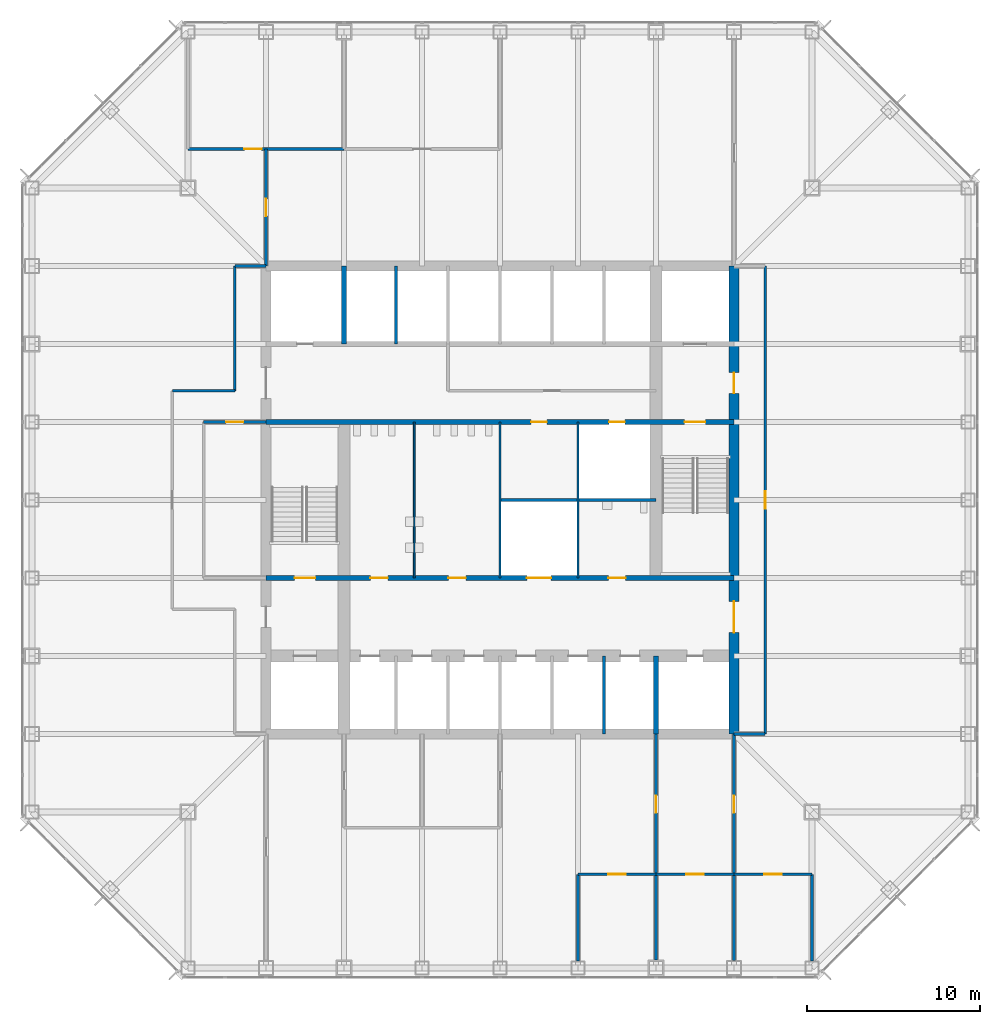
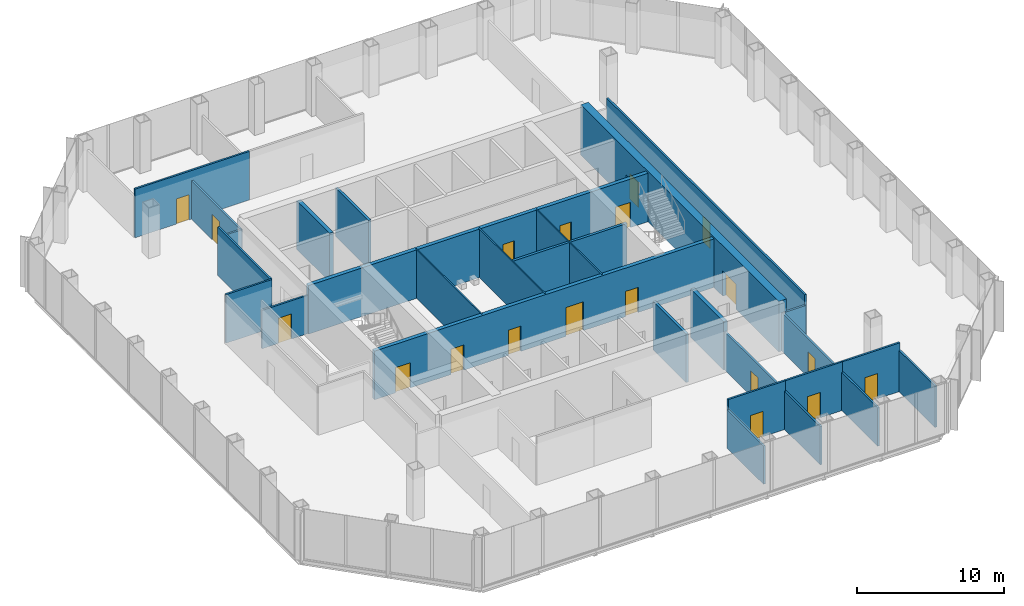
# One storey, part 9 of 12: 28 walls, 19 doors, 19 openings.
"""IFC4 building model written with IfcOpenShell, lengths in metres."""

from ifc_helpers import new_model, si_unit, direction, frame, frame_2d, origin, place, context, subcontext, project, spatial, rectangle, extrude, material, layer, layer_set, type_object, element, fill, save


model = new_model("IFC4")

# Units and contexts
model_context = context("Model", 3, precision=1e-05, world=origin(), true_north=direction((0.0, 1.0)))
body_context = subcontext(model_context, "Body", "Model", "MODEL_VIEW")
ifc_project = project(units=[si_unit("LENGTHUNIT", "METRE"), si_unit("AREAUNIT", "SQUARE_METRE"), si_unit("VOLUMEUNIT", "CUBIC_METRE"), si_unit("PLANEANGLEUNIT", "RADIAN"), si_unit("MASSUNIT", "GRAM", prefix="KILO")], contexts=[model_context])

# Site, building, storey
site_placement = place(None, origin())
site = spatial("IfcSite", under=ifc_project, at=site_placement, CompositionType="ELEMENT")
building_placement = place(site_placement, origin())
building = spatial("IfcBuilding", under=site, at=building_placement, Name="Corais Broadcast Tower", CompositionType="ELEMENT")
storey_placement = place(building_placement, frame((0.0, 0.0, 50.0)))
storey = spatial("IfcBuildingStorey", under=building, at=storey_placement, Name="L10", CompositionType="ELEMENT", Elevation=50.0)

# Walls
ifc_material_1 = material(Name="Concrete blockwork class A, grouted, two-hour", Category="masonry")
ifc_layer_1 = layer(ifc_material_1, 0.300048828125)
ifc_layer_set_1 = layer_set([ifc_layer_1], Name="Concrete blockwork class A, grouted, two-hour")
wall_type_1 = type_object("IfcWallType", Name="Core lobby wall 300", PredefinedType="SOLIDWALL", material=ifc_layer_set_1)
for number, where, z_axis, x_axis, name in (
    (1, (18.0, 36.0, 0.0), (0.0, 0.0, 1.0), (0.0, 1.0, 0.0), "CL1 core shaft wall X18B L10"),
    (2, (36.0, 13.5, 0.0), (0.0, 0.0, 1.0), (0.0, 1.0, 0.0), "CL1 core shaft wall X36A L10"),
):
    element("IfcWall", number, at=place(storey_placement, frame(where, z_axis=z_axis, x_axis=x_axis)), inside=storey, type_object=wall_type_1, Name=name, PredefinedType="SOLIDWALL", context=body_context, shape_type="SweptSolid", body=[
        extrude(rectangle(XDim=4.5, YDim=0.300048828125, at=frame_2d((2.25, 0.0))), origin(), (0.0, 0.0, 1.0), 4.0400390625),
    ])

# Wall, openings, doors
wall_1_placement = place(storey_placement, frame((13.5, 22.5, 0.0), z_axis=(0.0, 0.0, 1.0), x_axis=(1.0, 0.0, 0.0)))
wall_1 = element("IfcWall", 3, at=wall_1_placement, inside=storey, type_object=wall_type_1, Name="CL1 core lobby wall Y225 L10", PredefinedType="SOLIDWALL", context=body_context, shape_type="SweptSolid", body=[
    extrude(rectangle(XDim=27.0, YDim=0.300048828125, at=frame_2d((13.5, 0.0))), origin(), (0.0, 0.0, 1.0), 4.0400390625),
])
opening_1_placement = place(wall_1_placement, frame((1.64990234375, 0.0, 0.0)))
opening_1 = element("IfcOpeningElement", 4, at=opening_1_placement, cuts=wall_1, Name="Opening FD1", PredefinedType="OPENING", context=body_context, shape_type="SweptSolid", body=[
    extrude(rectangle(XDim=1.199951171875, YDim=2.10009765625, at=frame_2d((0.60009765625, 1.050048828125))), frame((0.0, 0.159912109375, 0.0), z_axis=(0.0, -1.0, 0.0), x_axis=(1.0, 0.0, 0.0)), (0.0, 0.0, 1.0), 0.320068359375),
])
opening_2_placement = place(wall_1_placement, frame((6.02490234375, 0.0, 0.0)))
opening_2 = element("IfcOpeningElement", 5, at=opening_2_placement, cuts=wall_1, Name="Opening WD1", PredefinedType="OPENING", context=body_context, shape_type="SweptSolid", body=[
    extrude(rectangle(XDim=1.0, YDim=2.10009765625, at=frame_2d((0.5, 1.050048828125))), frame((0.0, 0.159912109375, 0.0), z_axis=(0.0, -1.0, 0.0), x_axis=(1.0, 0.0, 0.0)), (0.0, 0.0, 1.0), 0.320068359375),
])
opening_3_placement = place(wall_1_placement, frame((10.52490234375, 0.0, 0.0)))
opening_3 = element("IfcOpeningElement", 6, at=opening_3_placement, cuts=wall_1, Name="Opening WD1", PredefinedType="OPENING", context=body_context, shape_type="SweptSolid", body=[
    extrude(rectangle(XDim=1.0, YDim=2.10009765625, at=frame_2d((0.5, 1.050048828125))), frame((0.0, 0.159912109375, 0.0), z_axis=(0.0, -1.0, 0.0), x_axis=(1.0, 0.0, 0.0)), (0.0, 0.0, 1.0), 0.320068359375),
])
opening_4_placement = place(wall_1_placement, frame((19.75, 0.0, 0.0)))
opening_4 = element("IfcOpeningElement", 7, at=opening_4_placement, cuts=wall_1, Name="Opening WD1", PredefinedType="OPENING", context=body_context, shape_type="SweptSolid", body=[
    extrude(rectangle(XDim=1.0, YDim=2.10009765625, at=frame_2d((0.5, 1.050048828125))), frame((0.0, 0.159912109375, 0.0), z_axis=(0.0, -1.0, 0.0), x_axis=(1.0, 0.0, 0.0)), (0.0, 0.0, 1.0), 0.320068359375),
])
opening_5_placement = place(wall_1_placement, frame((15.050048828125, 0.0, 0.0)))
opening_5 = element("IfcOpeningElement", 8, at=opening_5_placement, cuts=wall_1, Name="Opening LD3", PredefinedType="OPENING", context=body_context, shape_type="SweptSolid", body=[
    extrude(rectangle(XDim=1.39990234375, YDim=2.39990234375, at=frame_2d((0.699951171875, 1.199951171875))), frame((0.0, 0.159912109375, 0.0), z_axis=(0.0, -1.0, 0.0), x_axis=(1.0, 0.0, 0.0)), (0.0, 0.0, 1.0), 0.320068359375),
])
ifc_material_2 = material(Name="Steel fire door", Category="steel")
door_type_1 = type_object("IfcDoorType", Name="Fire door 1200x2100", OperationType="SINGLE_SWING_LEFT", PredefinedType="DOOR", material=ifc_material_2)
door_1_placement = place(opening_1_placement, origin())
door_1 = element("IfcDoor", 9, at=door_1_placement, inside=storey, type_object=door_type_1, Name="FD1 stair A door L10", OperationType="SINGLE_SWING_LEFT", OverallHeight=2.10009765625, OverallWidth=1.199951171875, PredefinedType="DOOR", context=body_context, shape_type="SweptSolid", body=[
    extrude(rectangle(XDim=1.199951171875, YDim=2.10009765625, at=frame_2d((0.60009765625, 1.050048828125))), frame((0.0, 0.02490234375, 0.0), z_axis=(0.0, -1.0, 0.0), x_axis=(1.0, 0.0, 0.0)), (0.0, 0.0, 1.0), 0.050048828125),
])
fill(opening_1, door_1)
ifc_material_3 = material(Name="Stainless steel lift door", Category="steel")
door_type_2 = type_object("IfcDoorType", Name="Service lift landing door 1400x2400", OperationType="SLIDING_TO_LEFT", PredefinedType="DOOR", material=ifc_material_3)
door_2_placement = place(opening_5_placement, origin())
door_2 = element("IfcDoor", 10, at=door_2_placement, inside=storey, type_object=door_type_2, Name="LD3 SL1 landing door L10", OperationType="SLIDING_TO_LEFT", OverallHeight=2.39990234375, OverallWidth=1.39990234375, PredefinedType="DOOR", context=body_context, shape_type="SweptSolid", body=[
    extrude(rectangle(XDim=1.39990234375, YDim=2.39990234375, at=frame_2d((0.699951171875, 1.199951171875))), frame((0.0, 0.02490234375, 0.0), z_axis=(0.0, -1.0, 0.0), x_axis=(1.0, 0.0, 0.0)), (0.0, 0.0, 1.0), 0.050048828125),
])
fill(opening_5, door_2)
ifc_material_4 = material(Name="Timber door", Category="wood")
door_type_3 = type_object("IfcDoorType", Name="Toilet door 1000x2100", OperationType="SINGLE_SWING_LEFT", PredefinedType="DOOR", material=ifc_material_4)
door_3_placement = place(opening_2_placement, origin())
door_3 = element("IfcDoor", 11, at=door_3_placement, inside=storey, type_object=door_type_3, Name="WD1 WC male door L10", OperationType="SINGLE_SWING_LEFT", OverallHeight=2.10009765625, OverallWidth=1.0, PredefinedType="DOOR", context=body_context, shape_type="SweptSolid", body=[
    extrude(rectangle(XDim=1.0, YDim=2.10009765625, at=frame_2d((0.5, 1.050048828125))), frame((0.0, 0.02490234375, 0.0), z_axis=(0.0, -1.0, 0.0), x_axis=(1.0, 0.0, 0.0)), (0.0, 0.0, 1.0), 0.050048828125),
])
fill(opening_2, door_3)
door_4_placement = place(opening_3_placement, origin())
door_4 = element("IfcDoor", 12, at=door_4_placement, inside=storey, type_object=door_type_3, Name="WD1 WC female door L10", OperationType="SINGLE_SWING_LEFT", OverallHeight=2.10009765625, OverallWidth=1.0, PredefinedType="DOOR", context=body_context, shape_type="SweptSolid", body=[
    extrude(rectangle(XDim=1.0, YDim=2.10009765625, at=frame_2d((0.5, 1.050048828125))), frame((0.0, 0.02490234375, 0.0), z_axis=(0.0, -1.0, 0.0), x_axis=(1.0, 0.0, 0.0)), (0.0, 0.0, 1.0), 0.050048828125),
])
fill(opening_3, door_4)
door_5_placement = place(opening_4_placement, origin())
door_5 = element("IfcDoor", 13, at=door_5_placement, inside=storey, type_object=door_type_3, Name="WD1 accessible WC door L10", OperationType="SINGLE_SWING_RIGHT", OverallHeight=2.10009765625, OverallWidth=1.0, PredefinedType="DOOR", context=body_context, shape_type="SweptSolid", body=[
    extrude(rectangle(XDim=1.0, YDim=2.10009765625, at=frame_2d((0.5, 1.050048828125))), frame((0.0, 0.02490234375, 0.0), z_axis=(0.0, -1.0, 0.0), x_axis=(1.0, 0.0, 0.0)), (0.0, 0.0, 1.0), 0.050048828125),
])
fill(opening_4, door_5)

wall_2_placement = place(storey_placement, frame((13.5, 31.5, 0.0), z_axis=(0.0, 0.0, 1.0), x_axis=(1.0, 0.0, 0.0)))
wall_2 = element("IfcWall", 14, at=wall_2_placement, inside=storey, type_object=wall_type_1, Name="CL1 core lobby wall Y315 L10", PredefinedType="SOLIDWALL", context=body_context, shape_type="SweptSolid", body=[
    extrude(rectangle(XDim=27.0, YDim=0.300048828125, at=frame_2d((13.5, 0.0))), origin(), (0.0, 0.0, 1.0), 4.0400390625),
])
opening_6_placement = place(wall_2_placement, frame((24.14990234375, 0.0, 0.0)))
opening_6 = element("IfcOpeningElement", 15, at=opening_6_placement, cuts=wall_2, Name="Opening FD1", PredefinedType="OPENING", context=body_context, shape_type="SweptSolid", body=[
    extrude(rectangle(XDim=1.199951171875, YDim=2.10009765625, at=frame_2d((0.60009765625, 1.050048828125))), frame((0.0, 0.159912109375, 0.0), z_axis=(0.0, -1.0, 0.0), x_axis=(1.0, 0.0, 0.0)), (0.0, 0.0, 1.0), 0.320068359375),
])
opening_7_placement = place(wall_2_placement, frame((15.300048828125, 0.0, 0.0)))
opening_7 = element("IfcOpeningElement", 16, at=opening_7_placement, cuts=wall_2, Name="Opening RD1", PredefinedType="OPENING", context=body_context, shape_type="SweptSolid", body=[
    extrude(rectangle(XDim=0.89990234375, YDim=2.10009765625, at=frame_2d((0.449951171875, 1.050048828125))), frame((0.0, 0.159912109375, 0.0), z_axis=(0.0, -1.0, 0.0), x_axis=(1.0, 0.0, 0.0)), (0.0, 0.0, 1.0), 0.320068359375),
])
opening_8_placement = place(wall_2_placement, frame((19.800048828125, 0.0, 0.0)))
opening_8 = element("IfcOpeningElement", 17, at=opening_8_placement, cuts=wall_2, Name="Opening RD1", PredefinedType="OPENING", context=body_context, shape_type="SweptSolid", body=[
    extrude(rectangle(XDim=0.89990234375, YDim=2.10009765625, at=frame_2d((0.449951171875, 1.050048828125))), frame((0.0, 0.159912109375, 0.0), z_axis=(0.0, -1.0, 0.0), x_axis=(1.0, 0.0, 0.0)), (0.0, 0.0, 1.0), 0.320068359375),
])
door_6_placement = place(opening_6_placement, origin())
door_6 = element("IfcDoor", 18, at=door_6_placement, inside=storey, type_object=door_type_1, Name="FD1 stair B door L10", OperationType="SINGLE_SWING_RIGHT", OverallHeight=2.10009765625, OverallWidth=1.199951171875, PredefinedType="DOOR", context=body_context, shape_type="SweptSolid", body=[
    extrude(rectangle(XDim=1.199951171875, YDim=2.10009765625, at=frame_2d((0.60009765625, 1.050048828125))), frame((0.0, 0.02490234375, 0.0), z_axis=(0.0, -1.0, 0.0), x_axis=(1.0, 0.0, 0.0)), (0.0, 0.0, 1.0), 0.050048828125),
])
fill(opening_6, door_6)
ifc_material_5 = material(Name="Steel fire door", Category="steel")
door_type_4 = type_object("IfcDoorType", Name="Riser door 900x2100", OperationType="SINGLE_SWING_LEFT", PredefinedType="DOOR", material=ifc_material_5)
door_7_placement = place(opening_7_placement, origin())
door_7 = element("IfcDoor", 19, at=door_7_placement, inside=storey, type_object=door_type_4, Name="RD1 cleaner's store door L10", OperationType="SINGLE_SWING_RIGHT", OverallHeight=2.10009765625, OverallWidth=0.89990234375, PredefinedType="DOOR", context=body_context, shape_type="SweptSolid", body=[
    extrude(rectangle(XDim=0.89990234375, YDim=2.10009765625, at=frame_2d((0.449951171875, 1.050048828125))), frame((0.0, 0.02490234375, 0.0), z_axis=(0.0, -1.0, 0.0), x_axis=(1.0, 0.0, 0.0)), (0.0, 0.0, 1.0), 0.050048828125),
])
fill(opening_7, door_7)
door_8_placement = place(opening_8_placement, origin())
door_8 = element("IfcDoor", 20, at=door_8_placement, inside=storey, type_object=door_type_4, Name="RD1 riser door L10", OperationType="SINGLE_SWING_RIGHT", OverallHeight=2.10009765625, OverallWidth=0.89990234375, PredefinedType="DOOR", context=body_context, shape_type="SweptSolid", body=[
    extrude(rectangle(XDim=0.89990234375, YDim=2.10009765625, at=frame_2d((0.449951171875, 1.050048828125))), frame((0.0, 0.02490234375, 0.0), z_axis=(0.0, -1.0, 0.0), x_axis=(1.0, 0.0, 0.0)), (0.0, 0.0, 1.0), 0.050048828125),
])
fill(opening_8, door_8)

ifc_material_6 = material(Name="Concrete C50/60", Category="concrete")
ifc_layer_2 = layer(ifc_material_6, 0.60009765625)
ifc_layer_set_2 = layer_set([ifc_layer_2], Name="Concrete C50/60")
wall_type_2 = type_object("IfcWallType", Name="Core wall 600", PredefinedType="SHEAR", material=ifc_layer_set_2)
wall_3_placement = place(storey_placement, frame((40.5, 13.5, 0.0), z_axis=(0.0, 0.0, 1.0), x_axis=(0.0, 1.0, 0.0)))
wall_3 = element("IfcWall", 21, at=wall_3_placement, inside=storey, type_object=wall_type_2, Name="CR600 core wall E L10", PredefinedType="SHEAR", context=body_context, shape_type="SweptSolid", body=[
    extrude(rectangle(XDim=27.0, YDim=0.60009765625, at=frame_2d((13.5, 0.0))), origin(), (0.0, 0.0, 1.0), 4.199951171875),
])
opening_9_placement = place(wall_3_placement, frame((5.85009765625, 0.0, 0.0)))
opening_9 = element("IfcOpeningElement", 22, at=opening_9_placement, cuts=wall_3, Name="Opening FD2", PredefinedType="OPENING", context=body_context, shape_type="SweptSolid", body=[
    extrude(rectangle(XDim=1.800048828125, YDim=2.10009765625, at=frame_2d((0.89990234375, 1.050048828125))), frame((0.0, 0.31005859375, 0.0), z_axis=(0.0, -1.0, 0.0), x_axis=(1.0, 0.0, 0.0)), (0.0, 0.0, 1.0), 0.6201171875),
])
opening_10_placement = place(wall_3_placement, frame((19.64990234375, 0.0, 0.0)))
opening_10 = element("IfcOpeningElement", 23, at=opening_10_placement, cuts=wall_3, Name="Opening FD1", PredefinedType="OPENING", context=body_context, shape_type="SweptSolid", body=[
    extrude(rectangle(XDim=1.199951171875, YDim=2.10009765625, at=frame_2d((0.60009765625, 1.050048828125))), frame((0.0, 0.31005859375, 0.0), z_axis=(0.0, -1.0, 0.0), x_axis=(1.0, 0.0, 0.0)), (0.0, 0.0, 1.0), 0.6201171875),
])
door_9_placement = place(opening_10_placement, origin())
door_9 = element("IfcDoor", 24, at=door_9_placement, inside=storey, type_object=door_type_1, Name="FD1 fire lobby B door L10", OperationType="SINGLE_SWING_RIGHT", OverallHeight=2.10009765625, OverallWidth=1.199951171875, PredefinedType="DOOR", context=body_context, shape_type="SweptSolid", body=[
    extrude(rectangle(XDim=1.199951171875, YDim=2.10009765625, at=frame_2d((0.60009765625, 1.050048828125))), frame((0.0, 0.02490234375, 0.0), z_axis=(0.0, -1.0, 0.0), x_axis=(1.0, 0.0, 0.0)), (0.0, 0.0, 1.0), 0.050048828125),
])
fill(opening_10, door_9)
ifc_material_7 = material(Name="Steel fire door", Category="steel")
door_type_5 = type_object("IfcDoorType", Name="Fire door pair 1800x2100", OperationType="DOUBLE_DOOR_SINGLE_SWING", PredefinedType="DOOR", material=ifc_material_7)
door_10_placement = place(opening_9_placement, origin())
door_10 = element("IfcDoor", 25, at=door_10_placement, inside=storey, type_object=door_type_5, Name="FD2 lift lobby door L10", OperationType="SINGLE_SWING_LEFT", OverallHeight=2.10009765625, OverallWidth=1.800048828125, PredefinedType="DOOR", context=body_context, shape_type="SweptSolid", body=[
    extrude(rectangle(XDim=1.800048828125, YDim=2.10009765625, at=frame_2d((0.89990234375, 1.050048828125))), frame((0.0, 0.02490234375, 0.0), z_axis=(0.0, -1.0, 0.0), x_axis=(1.0, 0.0, 0.0)), (0.0, 0.0, 1.0), 0.050048828125),
])
fill(opening_9, door_10)

# Wall, opening, door
ifc_material_8 = material(Name="Gypsum board on steel studs", Category="steel")
ifc_layer_3 = layer(ifc_material_8, 0.14990234375)
ifc_layer_set_3 = layer_set([ifc_layer_3], Name="Gypsum board on steel studs")
wall_type_3 = type_object("IfcWallType", Name="Partition 150", PredefinedType="PARTITIONING", material=ifc_layer_set_3)
wall_4_placement = place(storey_placement, frame((42.300048828125, 13.5, 0.0), z_axis=(0.0, 0.0, 1.0), x_axis=(0.0, 1.0, 0.0)))
wall_4 = element("IfcWall", 26, at=wall_4_placement, inside=storey, type_object=wall_type_3, Name="IW3 corridor wall L10", PredefinedType="PARTITIONING", context=body_context, shape_type="SweptSolid", body=[
    extrude(rectangle(XDim=27.0, YDim=0.14990234375, at=frame_2d((13.5, 0.0))), origin(), (0.0, 0.0, 1.0), 4.0400390625),
])
opening_11_placement = place(wall_4_placement, frame((13.0, 0.0, 0.0)))
opening_11 = element("IfcOpeningElement", 27, at=opening_11_placement, cuts=wall_4, Name="Opening D1", PredefinedType="OPENING", context=body_context, shape_type="SweptSolid", body=[
    extrude(rectangle(XDim=1.0, YDim=2.10009765625, at=frame_2d((0.5, 1.050048828125))), frame((0.0, 0.0849609375, 0.0), z_axis=(0.0, -1.0, 0.0), x_axis=(1.0, 0.0, 0.0)), (0.0, 0.0, 1.0), 0.169921875),
])
ifc_material_9 = material(Name="Timber door", Category="wood")
door_type_6 = type_object("IfcDoorType", Name="Single door 1000x2100", OperationType="SINGLE_SWING_LEFT", PredefinedType="DOOR", material=ifc_material_9)
door_11_placement = place(opening_11_placement, origin())
door_11 = element("IfcDoor", 28, at=door_11_placement, inside=storey, type_object=door_type_6, Name="D1 workplace door L10", OperationType="SINGLE_SWING_LEFT", OverallHeight=2.10009765625, OverallWidth=1.0, PredefinedType="DOOR", context=body_context, shape_type="SweptSolid", body=[
    extrude(rectangle(XDim=1.0, YDim=2.10009765625, at=frame_2d((0.5, 1.050048828125))), frame((0.0, 0.02490234375, 0.0), z_axis=(0.0, -1.0, 0.0), x_axis=(1.0, 0.0, 0.0)), (0.0, 0.0, 1.0), 0.050048828125),
])
fill(opening_11, door_11)

# Walls
wall_5_placement = place(storey_placement, frame((11.699951171875, 40.5, 0.0), z_axis=(0.0, 0.0, 1.0), x_axis=(0.0, -1.0, 0.0)))
element("IfcWall", 29, at=wall_5_placement, inside=storey, type_object=wall_type_3, Name="IW3 corridor wall L10", PredefinedType="PARTITIONING", context=body_context, shape_type="SweptSolid", body=[
    extrude(rectangle(XDim=7.199951171875, YDim=0.14990234375, at=frame_2d((3.60009765625, 0.0))), origin(), (0.0, 0.0, 1.0), 4.0400390625),
])
wall_6_placement = place(storey_placement, frame((11.699951171875, 33.300048828125, 0.0), z_axis=(0.0, 0.0, 1.0), x_axis=(-1.0, 0.0, 0.0)))
element("IfcWall", 30, at=wall_6_placement, inside=storey, type_object=wall_type_3, Name="IW3 corridor wall L10", PredefinedType="PARTITIONING", context=body_context, shape_type="SweptSolid", body=[
    extrude(rectangle(XDim=3.599853515625, YDim=0.14990234375, at=frame_2d((1.7998046875, 0.0))), origin(), (0.0, 0.0, 1.0), 4.0400390625),
])
for number, where, z_axis, x_axis, name in (
    (31, (13.510009765625, 40.5, 0.0), (0.0, 0.0, 1.0), (-1.0, 0.0, 0.0), "IW3 corridor wall L10"),
    (32, (40.489990234375, 13.5, 0.0), (0.0, 0.0, 1.0), (1.0, 0.0, 0.0), "IW3 corridor wall L10"),
):
    element("IfcWall", number, at=place(storey_placement, frame(where, z_axis=z_axis, x_axis=x_axis)), inside=storey, type_object=wall_type_3, Name=name, PredefinedType="PARTITIONING", context=body_context, shape_type="SweptSolid", body=[
        extrude(rectangle(XDim=1.81005859375, YDim=0.14990234375, at=frame_2d((0.905029296875, 0.0))), origin(), (0.0, 0.0, 1.0), 3.18896484375),
    ])

# Wall, opening, door
wall_7_placement = place(storey_placement, frame((9.0, 47.25, 0.0), z_axis=(0.0, 0.0, 1.0), x_axis=(1.0, 0.0, 0.0)))
wall_7 = element("IfcWall", 33, at=wall_7_placement, inside=storey, type_object=wall_type_3, Name="IW3 partition L10", PredefinedType="PARTITIONING", context=body_context, shape_type="SweptSolid", body=[
    extrude(rectangle(XDim=9.0, YDim=0.14990234375, at=frame_2d((4.5, 0.0))), origin(), (0.0, 0.0, 1.0), 4.0400390625),
])
opening_12_placement = place(wall_7_placement, frame((3.25, 0.0, 0.0)))
opening_12 = element("IfcOpeningElement", 34, at=opening_12_placement, cuts=wall_7, Name="Opening D1", PredefinedType="OPENING", context=body_context, shape_type="SweptSolid", body=[
    extrude(rectangle(XDim=1.0, YDim=2.10009765625, at=frame_2d((0.5, 1.050048828125))), frame((0.0, 0.0849609375, 0.0), z_axis=(0.0, -1.0, 0.0), x_axis=(1.0, 0.0, 0.0)), (0.0, 0.0, 1.0), 0.169921875),
])
door_12_placement = place(opening_12_placement, origin())
door_12 = element("IfcDoor", 35, at=door_12_placement, inside=storey, type_object=door_type_6, Name="D1 Graphics room door", OperationType="SINGLE_SWING_LEFT", OverallHeight=2.10009765625, OverallWidth=1.0, PredefinedType="DOOR", context=body_context, shape_type="SweptSolid", body=[
    extrude(rectangle(XDim=1.0, YDim=2.10009765625, at=frame_2d((0.5, 1.050048828125))), frame((0.0, 0.02490234375, 0.0), z_axis=(0.0, -1.0, 0.0), x_axis=(1.0, 0.0, 0.0)), (0.0, 0.0, 1.0), 0.050048828125),
])
fill(opening_12, door_12)

wall_8_placement = place(storey_placement, frame((13.5, 31.5, 0.0), z_axis=(0.0, 0.0, 1.0), x_axis=(-1.0, 0.0, 0.0)))
wall_8 = element("IfcWall", 36, at=wall_8_placement, inside=storey, type_object=wall_type_3, Name="IW3 partition L10", PredefinedType="PARTITIONING", context=body_context, shape_type="SweptSolid", body=[
    extrude(rectangle(XDim=3.60009765625, YDim=0.14990234375, at=frame_2d((1.800048828125, 0.0))), origin(), (0.0, 0.0, 1.0), 3.18896484375),
])
opening_13_placement = place(wall_8_placement, frame((1.300048828125, 0.0, 0.0)))
opening_13 = element("IfcOpeningElement", 37, at=opening_13_placement, cuts=wall_8, Name="Opening D1", PredefinedType="OPENING", context=body_context, shape_type="SweptSolid", body=[
    extrude(rectangle(XDim=1.0, YDim=2.10009765625, at=frame_2d((0.5, 1.050048828125))), frame((0.0, 0.0849609375, 0.0), z_axis=(0.0, -1.0, 0.0), x_axis=(1.0, 0.0, 0.0)), (0.0, 0.0, 1.0), 0.169921875),
])
door_13_placement = place(opening_13_placement, origin())
door_13 = element("IfcDoor", 38, at=door_13_placement, inside=storey, type_object=door_type_6, Name="D1 Pantry door", OperationType="SINGLE_SWING_LEFT", OverallHeight=2.10009765625, OverallWidth=1.0, PredefinedType="DOOR", context=body_context, shape_type="SweptSolid", body=[
    extrude(rectangle(XDim=1.0, YDim=2.10009765625, at=frame_2d((0.5, 1.050048828125))), frame((0.0, 0.02490234375, 0.0), z_axis=(0.0, -1.0, 0.0), x_axis=(1.0, 0.0, 0.0)), (0.0, 0.0, 1.0), 0.050048828125),
])
fill(opening_13, door_13)

# Wall
wall_9_placement = place(storey_placement, frame((36.0, 0.4599609375, 0.0), z_axis=(0.0, 0.0, 1.0), x_axis=(0.0, 1.0, 0.0)))
element("IfcWall", 39, at=wall_9_placement, inside=storey, type_object=wall_type_3, Name="IW3 partition L10", PredefinedType="PARTITIONING", context=body_context, shape_type="SweptSolid", body=[
    extrude(rectangle(XDim=4.93994140625, YDim=0.14990234375, at=frame_2d((2.469970703125, 0.0))), origin(), (0.0, 0.0, 1.0), 3.18896484375),
])

# Wall, opening, door
wall_10_placement = place(storey_placement, frame((36.0, 5.39990234375, 0.0), z_axis=(0.0, 0.0, 1.0), x_axis=(-1.0, 0.0, 0.0)))
wall_10 = element("IfcWall", 40, at=wall_10_placement, inside=storey, type_object=wall_type_3, Name="IW3 partition L10", PredefinedType="PARTITIONING", context=body_context, shape_type="SweptSolid", body=[
    extrude(rectangle(XDim=4.5, YDim=0.14990234375, at=frame_2d((2.25, 0.0))), origin(), (0.0, 0.0, 1.0), 4.0400390625),
])
opening_14_placement = place(wall_10_placement, frame((1.75, 0.0, 0.0)))
opening_14 = element("IfcOpeningElement", 41, at=opening_14_placement, cuts=wall_10, Name="Opening D1", PredefinedType="OPENING", context=body_context, shape_type="SweptSolid", body=[
    extrude(rectangle(XDim=1.0, YDim=2.10009765625, at=frame_2d((0.5, 1.050048828125))), frame((0.0, 0.0849609375, 0.0), z_axis=(0.0, -1.0, 0.0), x_axis=(1.0, 0.0, 0.0)), (0.0, 0.0, 1.0), 0.169921875),
])
door_14_placement = place(opening_14_placement, origin())
door_14 = element("IfcDoor", 42, at=door_14_placement, inside=storey, type_object=door_type_6, Name="D1 Editor office door", OperationType="SINGLE_SWING_LEFT", OverallHeight=2.10009765625, OverallWidth=1.0, PredefinedType="DOOR", context=body_context, shape_type="SweptSolid", body=[
    extrude(rectangle(XDim=1.0, YDim=2.10009765625, at=frame_2d((0.5, 1.050048828125))), frame((0.0, 0.02490234375, 0.0), z_axis=(0.0, -1.0, 0.0), x_axis=(1.0, 0.0, 0.0)), (0.0, 0.0, 1.0), 0.050048828125),
])
fill(opening_14, door_14)

# Walls
wall_11_placement = place(storey_placement, frame((31.5, 5.39990234375, 0.0), z_axis=(0.0, 0.0, 1.0), x_axis=(0.0, -1.0, 0.0)))
element("IfcWall", 43, at=wall_11_placement, inside=storey, type_object=wall_type_3, Name="IW3 partition L10", PredefinedType="PARTITIONING", context=body_context, shape_type="SweptSolid", body=[
    extrude(rectangle(XDim=4.989990234375, YDim=0.14990234375, at=frame_2d((2.4951171875, 0.0))), origin(), (0.0, 0.0, 1.0), 3.18896484375),
])
wall_12_placement = place(storey_placement, frame((40.5, 0.43505859375, 0.0), z_axis=(0.0, 0.0, 1.0), x_axis=(0.0, 1.0, 0.0)))
element("IfcWall", 44, at=wall_12_placement, inside=storey, type_object=wall_type_3, Name="IW3 partition L10", PredefinedType="PARTITIONING", context=body_context, shape_type="SweptSolid", body=[
    extrude(rectangle(XDim=4.96484375, YDim=0.14990234375, at=frame_2d((2.482421875, 0.0))), origin(), (0.0, 0.0, 1.0), 3.18896484375),
])

# Wall, opening, door
wall_13_placement = place(storey_placement, frame((40.5, 5.39990234375, 0.0), z_axis=(0.0, 0.0, 1.0), x_axis=(-1.0, 0.0, 0.0)))
wall_13 = element("IfcWall", 45, at=wall_13_placement, inside=storey, type_object=wall_type_3, Name="IW3 partition L10", PredefinedType="PARTITIONING", context=body_context, shape_type="SweptSolid", body=[
    extrude(rectangle(XDim=4.5, YDim=0.14990234375, at=frame_2d((2.25, 0.0))), origin(), (0.0, 0.0, 1.0), 4.0400390625),
])
opening_15_placement = place(wall_13_placement, frame((1.75, 0.0, 0.0)))
opening_15 = element("IfcOpeningElement", 46, at=opening_15_placement, cuts=wall_13, Name="Opening D1", PredefinedType="OPENING", context=body_context, shape_type="SweptSolid", body=[
    extrude(rectangle(XDim=1.0, YDim=2.10009765625, at=frame_2d((0.5, 1.050048828125))), frame((0.0, 0.0849609375, 0.0), z_axis=(0.0, -1.0, 0.0), x_axis=(1.0, 0.0, 0.0)), (0.0, 0.0, 1.0), 0.169921875),
])
door_15_placement = place(opening_15_placement, origin())
door_15 = element("IfcDoor", 47, at=door_15_placement, inside=storey, type_object=door_type_6, Name="D1 Editor office door", OperationType="SINGLE_SWING_LEFT", OverallHeight=2.10009765625, OverallWidth=1.0, PredefinedType="DOOR", context=body_context, shape_type="SweptSolid", body=[
    extrude(rectangle(XDim=1.0, YDim=2.10009765625, at=frame_2d((0.5, 1.050048828125))), frame((0.0, 0.02490234375, 0.0), z_axis=(0.0, -1.0, 0.0), x_axis=(1.0, 0.0, 0.0)), (0.0, 0.0, 1.0), 0.050048828125),
])
fill(opening_15, door_15)

# Wall
wall_14_placement = place(storey_placement, frame((45.0, 0.409912109375, 0.0), z_axis=(0.0, 0.0, 1.0), x_axis=(0.0, 1.0, 0.0)))
element("IfcWall", 48, at=wall_14_placement, inside=storey, type_object=wall_type_3, Name="IW3 partition L10", PredefinedType="PARTITIONING", context=body_context, shape_type="SweptSolid", body=[
    extrude(rectangle(XDim=4.989990234375, YDim=0.14990234375, at=frame_2d((2.4951171875, 0.0))), origin(), (0.0, 0.0, 1.0), 3.428955078125),
])

# Wall, opening, door
wall_15_placement = place(storey_placement, frame((45.0, 5.39990234375, 0.0), z_axis=(0.0, 0.0, 1.0), x_axis=(-1.0, 0.0, 0.0)))
wall_15 = element("IfcWall", 49, at=wall_15_placement, inside=storey, type_object=wall_type_3, Name="IW3 partition L10", PredefinedType="PARTITIONING", context=body_context, shape_type="SweptSolid", body=[
    extrude(rectangle(XDim=4.5, YDim=0.14990234375, at=frame_2d((2.25, 0.0))), origin(), (0.0, 0.0, 1.0), 4.0400390625),
])
opening_16_placement = place(wall_15_placement, frame((1.75, 0.0, 0.0)))
opening_16 = element("IfcOpeningElement", 50, at=opening_16_placement, cuts=wall_15, Name="Opening D1", PredefinedType="OPENING", context=body_context, shape_type="SweptSolid", body=[
    extrude(rectangle(XDim=1.0, YDim=2.10009765625, at=frame_2d((0.5, 1.050048828125))), frame((0.0, 0.0849609375, 0.0), z_axis=(0.0, -1.0, 0.0), x_axis=(1.0, 0.0, 0.0)), (0.0, 0.0, 1.0), 0.169921875),
])
door_16_placement = place(opening_16_placement, origin())
door_16 = element("IfcDoor", 51, at=door_16_placement, inside=storey, type_object=door_type_6, Name="D1 Editor office door", OperationType="SINGLE_SWING_LEFT", OverallHeight=2.10009765625, OverallWidth=1.0, PredefinedType="DOOR", context=body_context, shape_type="SweptSolid", body=[
    extrude(rectangle(XDim=1.0, YDim=2.10009765625, at=frame_2d((0.5, 1.050048828125))), frame((0.0, 0.02490234375, 0.0), z_axis=(0.0, -1.0, 0.0), x_axis=(1.0, 0.0, 0.0)), (0.0, 0.0, 1.0), 0.050048828125),
])
fill(opening_16, door_16)

wall_16_placement = place(storey_placement, frame((13.5, 40.5, 0.0), z_axis=(0.0, 0.0, 1.0), x_axis=(0.0, 1.0, 0.0)))
wall_16 = element("IfcWall", 52, at=wall_16_placement, inside=storey, type_object=wall_type_3, Name="IW3 partition L10", PredefinedType="PARTITIONING", context=body_context, shape_type="SweptSolid", body=[
    extrude(rectangle(XDim=6.75, YDim=0.14990234375, at=frame_2d((3.375, 0.0))), origin(), (0.0, 0.0, 1.0), 3.18896484375),
])
opening_17_placement = place(wall_16_placement, frame((2.875, 0.0, 0.0)))
opening_17 = element("IfcOpeningElement", 53, at=opening_17_placement, cuts=wall_16, Name="Opening D1", PredefinedType="OPENING", context=body_context, shape_type="SweptSolid", body=[
    extrude(rectangle(XDim=1.0, YDim=2.10009765625, at=frame_2d((0.5, 1.050048828125))), frame((0.0, 0.0849609375, 0.0), z_axis=(0.0, -1.0, 0.0), x_axis=(1.0, 0.0, 0.0)), (0.0, 0.0, 1.0), 0.169921875),
])
door_17_placement = place(opening_17_placement, origin())
door_17 = element("IfcDoor", 54, at=door_17_placement, inside=storey, type_object=door_type_6, Name="D1 team room door L10", OperationType="SINGLE_SWING_LEFT", OverallHeight=2.10009765625, OverallWidth=1.0, PredefinedType="DOOR", context=body_context, shape_type="SweptSolid", body=[
    extrude(rectangle(XDim=1.0, YDim=2.10009765625, at=frame_2d((0.5, 1.050048828125))), frame((0.0, 0.02490234375, 0.0), z_axis=(0.0, -1.0, 0.0), x_axis=(1.0, 0.0, 0.0)), (0.0, 0.0, 1.0), 0.050048828125),
])
fill(opening_17, door_17)

wall_17_placement = place(storey_placement, frame((40.5, 5.39990234375, 0.0), z_axis=(0.0, 0.0, 1.0), x_axis=(0.0, 1.0, 0.0)))
wall_17 = element("IfcWall", 55, at=wall_17_placement, inside=storey, type_object=wall_type_3, Name="IW3 partition L10", PredefinedType="PARTITIONING", context=body_context, shape_type="SweptSolid", body=[
    extrude(rectangle(XDim=8.10009765625, YDim=0.14990234375, at=frame_2d((4.050048828125, 0.0))), origin(), (0.0, 0.0, 1.0), 3.18896484375),
])
opening_18_placement = place(wall_17_placement, frame((3.550048828125, 0.0, 0.0)))
opening_18 = element("IfcOpeningElement", 56, at=opening_18_placement, cuts=wall_17, Name="Opening D1", PredefinedType="OPENING", context=body_context, shape_type="SweptSolid", body=[
    extrude(rectangle(XDim=1.0, YDim=2.10009765625, at=frame_2d((0.5, 1.050048828125))), frame((0.0, 0.0849609375, 0.0), z_axis=(0.0, -1.0, 0.0), x_axis=(1.0, 0.0, 0.0)), (0.0, 0.0, 1.0), 0.169921875),
])
door_18_placement = place(opening_18_placement, origin())
door_18 = element("IfcDoor", 57, at=door_18_placement, inside=storey, type_object=door_type_6, Name="D1 team room door L10", OperationType="SINGLE_SWING_LEFT", OverallHeight=2.10009765625, OverallWidth=1.0, PredefinedType="DOOR", context=body_context, shape_type="SweptSolid", body=[
    extrude(rectangle(XDim=1.0, YDim=2.10009765625, at=frame_2d((0.5, 1.050048828125))), frame((0.0, 0.02490234375, 0.0), z_axis=(0.0, -1.0, 0.0), x_axis=(1.0, 0.0, 0.0)), (0.0, 0.0, 1.0), 0.050048828125),
])
fill(opening_18, door_18)

wall_18_placement = place(storey_placement, frame((36.0, 13.5, 0.0), z_axis=(0.0, 0.0, 1.0), x_axis=(0.0, -1.0, 0.0)))
wall_18 = element("IfcWall", 58, at=wall_18_placement, inside=storey, type_object=wall_type_3, Name="IW3 partition L10", PredefinedType="PARTITIONING", context=body_context, shape_type="SweptSolid", body=[
    extrude(rectangle(XDim=8.10009765625, YDim=0.14990234375, at=frame_2d((4.050048828125, 0.0))), origin(), (0.0, 0.0, 1.0), 3.18896484375),
])
opening_19_placement = place(wall_18_placement, frame((3.550048828125, 0.0, 0.0)))
opening_19 = element("IfcOpeningElement", 59, at=opening_19_placement, cuts=wall_18, Name="Opening D1", PredefinedType="OPENING", context=body_context, shape_type="SweptSolid", body=[
    extrude(rectangle(XDim=1.0, YDim=2.10009765625, at=frame_2d((0.5, 1.050048828125))), frame((0.0, 0.0849609375, 0.0), z_axis=(0.0, -1.0, 0.0), x_axis=(1.0, 0.0, 0.0)), (0.0, 0.0, 1.0), 0.169921875),
])
door_19_placement = place(opening_19_placement, origin())
door_19 = element("IfcDoor", 60, at=door_19_placement, inside=storey, type_object=door_type_6, Name="D1 team room door L10", OperationType="SINGLE_SWING_LEFT", OverallHeight=2.10009765625, OverallWidth=1.0, PredefinedType="DOOR", context=body_context, shape_type="SweptSolid", body=[
    extrude(rectangle(XDim=1.0, YDim=2.10009765625, at=frame_2d((0.5, 1.050048828125))), frame((0.0, 0.02490234375, 0.0), z_axis=(0.0, -1.0, 0.0), x_axis=(1.0, 0.0, 0.0)), (0.0, 0.0, 1.0), 0.050048828125),
])
fill(opening_19, door_19)

# Walls
ifc_material_10 = material(Name="Concrete blockwork class A, grouted, two-hour", Category="masonry")
ifc_layer_4 = layer(ifc_material_10, 0.199951171875)
ifc_layer_set_4 = layer_set([ifc_layer_4], Name="Concrete blockwork class A, grouted, two-hour")
wall_type_4 = type_object("IfcWallType", Name="Shaft wall 200", PredefinedType="PARTITIONING", material=ifc_layer_set_4)
for number, where, z_axis, x_axis, name in (
    (61, (21.0, 36.0, 0.0), (0.0, 0.0, 1.0), (0.0, 1.0, 0.0), "IW1 shaft wall L10"),
    (62, (33.0, 13.5, 0.0), (0.0, 0.0, 1.0), (0.0, 1.0, 0.0), "IW1 shaft wall L10"),
):
    element("IfcWall", number, at=place(storey_placement, frame(where, z_axis=z_axis, x_axis=x_axis)), inside=storey, type_object=wall_type_4, Name=name, PredefinedType="PARTITIONING", context=body_context, shape_type="SweptSolid", body=[
        extrude(rectangle(XDim=4.5, YDim=0.199951171875, at=frame_2d((2.25, 0.0))), origin(), (0.0, 0.0, 1.0), 4.0400390625),
    ])
wall_19_placement = place(storey_placement, frame((27.0, 27.0, 0.0), z_axis=(0.0, 0.0, 1.0), x_axis=(1.0, 0.0, 0.0)))
element("IfcWall", 63, at=wall_19_placement, inside=storey, type_object=wall_type_4, Name="IW1 shaft wall L10", PredefinedType="PARTITIONING", context=body_context, shape_type="SweptSolid", body=[
    extrude(rectangle(XDim=9.0, YDim=0.199951171875, at=frame_2d((4.5, 0.0))), origin(), (0.0, 0.0, 1.0), 4.0400390625),
])
ifc_material_11 = material(Name="Dense concrete blockwork class A, tiled both faces", Category="masonry")
ifc_layer_5 = layer(ifc_material_11, 0.10009765625)
ifc_layer_set_5 = layer_set([ifc_layer_5], Name="Dense concrete blockwork class A, tiled both faces")
wall_type_5 = type_object("IfcWallType", Name="Toilet wall 100", PredefinedType="PLUMBINGWALL", material=ifc_layer_set_5)
for number, where, z_axis, x_axis, name in (
    (64, (22.050048828125, 22.5, 0.0), (0.0, 0.0, 1.0), (0.0, 1.0, 0.0), "IW2 toilet wall L10"),
    (65, (27.0, 22.5, 0.0), (0.0, 0.0, 1.0), (0.0, 1.0, 0.0), "IW2 toilet wall L10"),
    (66, (31.5, 22.5, 0.0), (0.0, 0.0, 1.0), (0.0, 1.0, 0.0), "IW2 toilet wall L10"),
):
    element("IfcWall", number, at=place(storey_placement, frame(where, z_axis=z_axis, x_axis=x_axis)), inside=storey, type_object=wall_type_5, Name=name, PredefinedType="PLUMBINGWALL", context=body_context, shape_type="SweptSolid", body=[
        extrude(rectangle(XDim=9.0, YDim=0.10009765625, at=frame_2d((4.5, 0.0))), origin(), (0.0, 0.0, 1.0), 4.0400390625),
    ])

save(model, "model.ifc")
